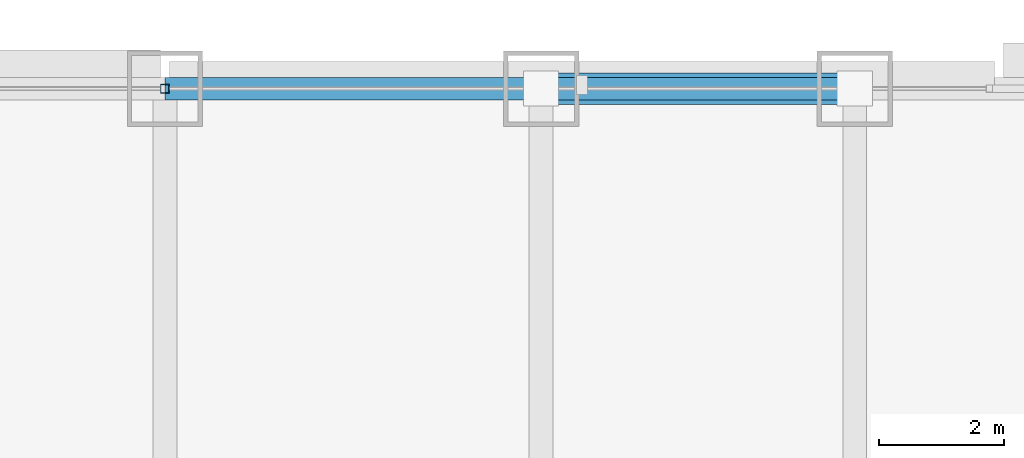
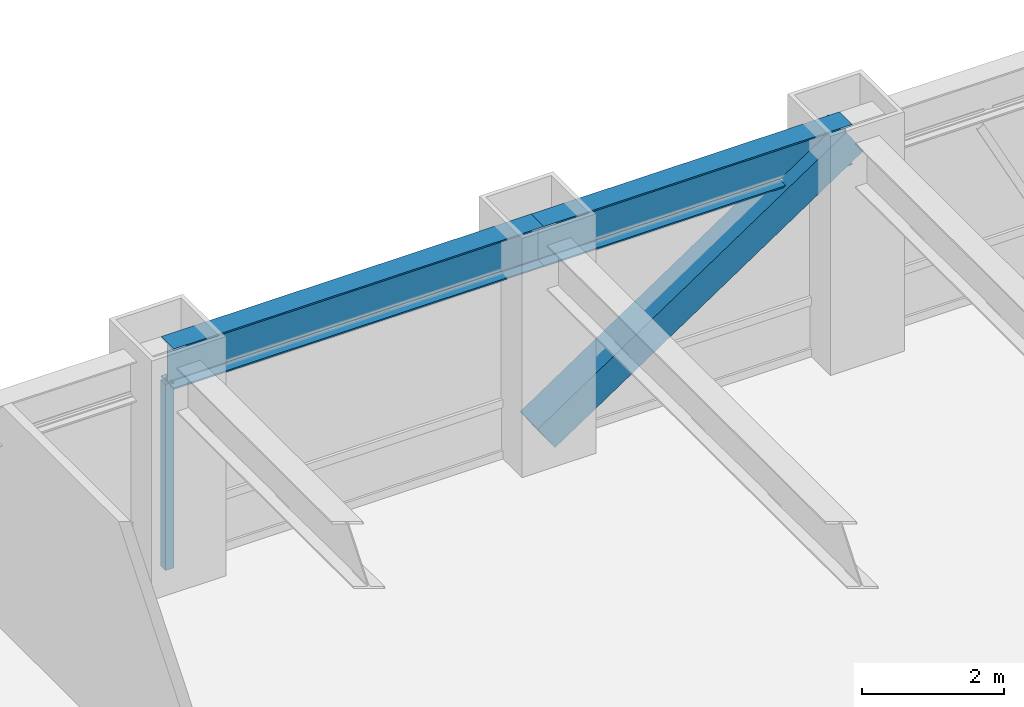
# One storey, part 19 of 32: 2 beams, 2 members, 1 element without a shape of its own.
"""IFC4 building model written with IfcOpenShell, lengths in metres."""

from ifc_helpers import new_model, si_unit, direction, frame, origin, origin_2d, place, context, subcontext, project, spatial, hollow_rectangle, i_section, extrude, source, transform, mapped, material, material_profile, profile_set, type_object, element, aggregate, save


model = new_model("IFC4")

# Units and contexts
model_context = context("Model", 3, precision=1e-05, world=origin(), true_north=direction((0.0, 1.0)))
body_context = subcontext(model_context, "Body", "Model", "MODEL_VIEW")
ifc_project = project(units=[si_unit("LENGTHUNIT", "METRE"), si_unit("AREAUNIT", "SQUARE_METRE"), si_unit("VOLUMEUNIT", "CUBIC_METRE"), si_unit("PLANEANGLEUNIT", "RADIAN"), si_unit("MASSUNIT", "GRAM", prefix="KILO")], contexts=[model_context])

# Site, building, storey
site_placement = place(None, origin())
site = spatial("IfcSite", under=ifc_project, at=site_placement, CompositionType="ELEMENT")
building_placement = place(site_placement, origin())
building = spatial("IfcBuilding", under=site, at=building_placement, Name="Khorayat Bourse Tower", CompositionType="ELEMENT")
storey_placement = place(building_placement, frame((0.0, 0.0, 128.300048828125)))
storey = spatial("IfcBuildingStorey", under=building, at=storey_placement, Name="L29", CompositionType="ELEMENT", Elevation=128.300048828125)

# Beams
ifc_material_1 = material(Name="Steel ASTM A992 Grade 50", Category="steel")
ifc_material_profile_1 = material_profile(ifc_material_1, i_section(OverallWidth=0.35498046875, OverallDepth=0.695068359375, WebThickness=0.015380859375, FlangeThickness=0.02490234375, FilletRadius=0.01806640625, at=origin_2d()), Name="W690X217")
ifc_profile_set_1 = profile_set([ifc_material_profile_1], Name="Steel ASTM A992 Grade 50")
beam_type = type_object("IfcBeamType", Name="BM-SPAN-690", PredefinedType="SPANDREL", material=ifc_profile_set_1)
shared_shape_1 = source(origin(), body_context, "Body", "SweptSolid", [
    extrude(i_section(OverallWidth=0.35498046875, OverallDepth=0.695068359375, WebThickness=0.015380859375, FlangeThickness=0.02490234375, FilletRadius=0.01806640625, at=origin_2d()), origin(), (0.0, 0.0, 1.0), 5.0),
])
beam_1_placement = place(storey_placement, frame((6.0, 32.0, 3.492431640625), z_axis=(1.0, 0.0, 0.0), x_axis=(0.0, 1.0, 0.0)))
element("IfcBeam", 1, at=beam_1_placement, inside=storey, type_object=beam_type, Name="L29 BM-SPAN-690 BM-L29-SPN-046", PredefinedType="SPANDREL", context=body_context, shape_type="MappedRepresentation", body=[
    mapped(shared_shape_1, transform((0.0, 0.0, 0.0), scale=1.0)),
])
shared_shape_2 = source(origin(), body_context, "Body", "SweptSolid", [
    extrude(i_section(OverallWidth=0.35498046875, OverallDepth=0.695068359375, WebThickness=0.015380859375, FlangeThickness=0.02490234375, FilletRadius=0.01806640625, at=origin_2d()), origin(), (0.0, 0.0, 1.0), 6.0),
])
beam_2_placement = place(storey_placement, frame((0.0, 32.0, 3.492431640625), z_axis=(1.0, 0.0, 0.0), x_axis=(0.0, 1.0, 0.0)))
element("IfcBeam", 2, at=beam_2_placement, inside=storey, type_object=beam_type, Name="L29 BM-SPAN-690 BM-L29-SPN-047", PredefinedType="SPANDREL", context=body_context, shape_type="MappedRepresentation", body=[
    mapped(shared_shape_2, transform((0.0, 0.0, 0.0), scale=1.0)),
])

# Member
ifc_material_2 = material(Name="Steel EN 10025-4 S460M", Category="steel")
ifc_material_profile_2 = material_profile(ifc_material_2, hollow_rectangle(XDim=0.5, YDim=0.5, WallThickness=0.028076171875, at=origin_2d()), Name="HSS 500x500x28")
ifc_profile_set_2 = profile_set([ifc_material_profile_2], Name="Steel EN 10025-4 S460M")
member_type_1 = type_object("IfcMemberType", Name="MBR-TUBE-500", PredefinedType="BRACE", material=ifc_profile_set_2)
shared_shape_3 = source(origin(), body_context, "Body", "SweptSolid", [
    extrude(hollow_rectangle(XDim=0.5, YDim=0.5, WallThickness=0.028076171875, at=origin_2d()), origin(), (0.0, 0.0, 1.0), 6.012939453125),
])
member_1_placement = place(storey_placement, frame((6.0, 32.0, 0.25), z_axis=(0.831550226979, 0.0, 0.555449565677), x_axis=(0.0, 1.0, 0.0)))
element("IfcMember", 3, at=member_1_placement, inside=storey, type_object=member_type_1, Name="L29 Perimeter Tube Brace 04", PredefinedType="BRACE", context=body_context, shape_type="MappedRepresentation", body=[
    mapped(shared_shape_3, transform((0.0, 0.0, 0.0), scale=1.0)),
])

# Curtain wall, member
ifc_material_3 = material(Name="Aluminium EN AW-6063 T6", Category="aluminium")
curtain_wall_type = type_object("IfcCurtainWallType", Name="CW-SYS-02", PredefinedType="NOTDEFINED", material=ifc_material_3)
curtain_wall_placement = place(storey_placement, origin())
curtain_wall = element("IfcCurtainWall", 4, at=curtain_wall_placement, inside=storey, type_object=curtain_wall_type, Name="L29 Curtain Wall CW-L29-N1", PredefinedType="NOTDEFINED")
ifc_material_profile_3 = material_profile(ifc_material_3, hollow_rectangle(XDim=0.139892578125, YDim=0.139892578125, WallThickness=0.006103515625, at=origin_2d()), Name="ALU 140x140x6")
ifc_profile_set_3 = profile_set([ifc_material_profile_3], Name="Aluminium EN AW-6063 T6")
member_type_2 = type_object("IfcMemberType", Name="CWM-VERT-140", PredefinedType="MULLION", material=ifc_profile_set_3)
shared_shape_4 = source(origin(), body_context, "Body", "SweptSolid", [
    extrude(hollow_rectangle(XDim=0.139892578125, YDim=0.139892578125, WallThickness=0.006103515625, at=origin_2d()), origin(), (0.0, 0.0, 1.0), 3.18994140625),
])
member_2_placement = place(storey_placement, frame((0.0, 32.0, 0.0), z_axis=(0.0, 0.0, 1.0), x_axis=(0.0, 1.0, 0.0)))
member_2 = element("IfcMember", 5, at=member_2_placement, type_object=member_type_2, Name="CW-L29-N1 Vertical Mullion 2", PredefinedType="MULLION", context=body_context, shape_type="MappedRepresentation", body=[
    mapped(shared_shape_4, transform((0.0, 0.0, 0.0), scale=1.0)),
])
aggregate(curtain_wall, [member_2])

save(model, "model.ifc")
